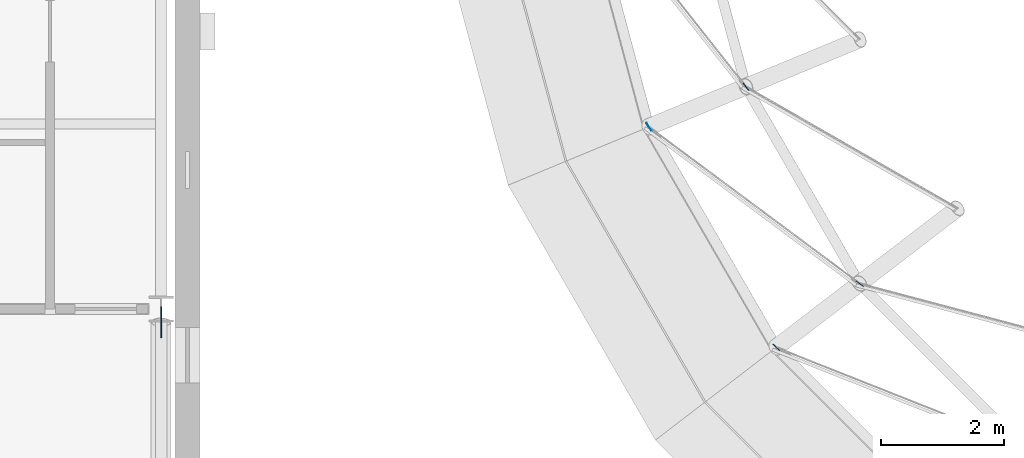
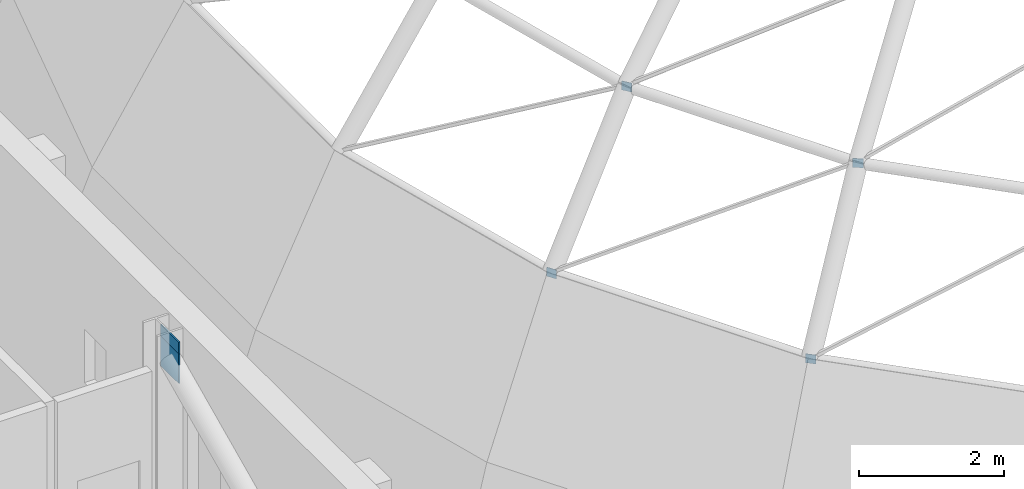
# One storey, part 41 of 62: 6 discrete accessories.
"""IFC4 building model written with IfcOpenShell, lengths in metres."""

from ifc_helpers import new_model, si_unit, direction, frame, origin, origin_2d, place, context, subcontext, project, spatial, rectangle, extrude, material, type_object, element, save


model = new_model("IFC4")

# Units and contexts
model_context = context("Model", 3, precision=1e-05, world=origin(), true_north=direction((0.0, 1.0)))
body_context = subcontext(model_context, "Body", "Model", "MODEL_VIEW")
ifc_project = project(units=[si_unit("LENGTHUNIT", "METRE"), si_unit("AREAUNIT", "SQUARE_METRE"), si_unit("VOLUMEUNIT", "CUBIC_METRE"), si_unit("PLANEANGLEUNIT", "RADIAN"), si_unit("MASSUNIT", "GRAM", prefix="KILO")], contexts=[model_context])

# Site, building, storey
site_placement = place(None, origin())
site = spatial("IfcSite", under=ifc_project, at=site_placement, CompositionType="ELEMENT")
building_placement = place(site_placement, origin())
building = spatial("IfcBuilding", under=site, at=building_placement, Name="Hortulan Conservatory and Botanical Research Centre", CompositionType="ELEMENT")
storey_placement = place(building_placement, frame((0.0, 0.0, 15.0)))
storey = spatial("IfcBuildingStorey", under=building, at=storey_placement, Name="L03", CompositionType="ELEMENT", Elevation=15.0)

# Discrete accessories
ifc_material = material(Name="Steel Grade 300 plate (AS/NZS 3678, 280 MPa minimum yield)", Category="steel")
discrete_accessory_type_1 = type_object("IfcDiscreteAccessoryType", Name="End Plate 150x10", PredefinedType="BRACKET", material=ifc_material)
for number, where, z_axis, x_axis, name in (
    (1, (39.400390625, 11.95263671875, 0.4404296875), (0.0, 0.0, 1.0), (0.535929945096, -0.844262455608, 0.0), "Dome rod end plate"),
    (2, (40.970947265625, 12.603271484375, 2.636962890625), (0.0, 0.0, 1.0), (0.620504703901, -0.784202724069, 0.0), "Dome rod end plate"),
    (3, (41.463134765625, 8.380126953125, 0.4404296875), (0.0, 0.0, 1.0), (0.736167965369, -0.676798882065, 0.0), "Dome rod end plate"),
    (4, (42.811767578125, 9.414794921875, 2.636962890625), (0.0, 0.0, 1.0), (0.802317701342, -0.596897232455, 0.0), "Dome rod end plate"),
):
    element("IfcDiscreteAccessory", number, at=place(storey_placement, frame(where, z_axis=z_axis, x_axis=x_axis)), inside=storey, type_object=discrete_accessory_type_1, Name=name, PredefinedType="BRACKET", context=body_context, shape_type="SweptSolid", body=[
        extrude(rectangle(XDim=0.14990234375, YDim=0.010009765625, at=origin_2d()), origin(), (0.0, 0.0, 1.0), 0.14990234375),
    ])
discrete_accessory_type_2 = type_object("IfcDiscreteAccessoryType", Name="End Plate 500x20", PredefinedType="BRACKET", material=ifc_material)
for number, where, z_axis, x_axis, name in (
    (5, (31.5, 8.7890625, 3.491455078125), (0.0, 0.0, 1.0), (0.0, -1.0, 0.0), "Brace end plate"),
    (6, (31.5, 8.7890625, 3.6884765625), (0.0, 0.0, 1.0), (0.0, -1.0, 0.0), "Brace end plate"),
):
    element("IfcDiscreteAccessory", number, at=place(storey_placement, frame(where, z_axis=z_axis, x_axis=x_axis)), inside=storey, type_object=discrete_accessory_type_2, Name=name, PredefinedType="BRACKET", context=body_context, shape_type="SweptSolid", body=[
        extrude(rectangle(XDim=0.5, YDim=0.02001953125, at=origin_2d()), origin(), (0.0, 0.0, 1.0), 0.5),
    ])

save(model, "model.ifc")
